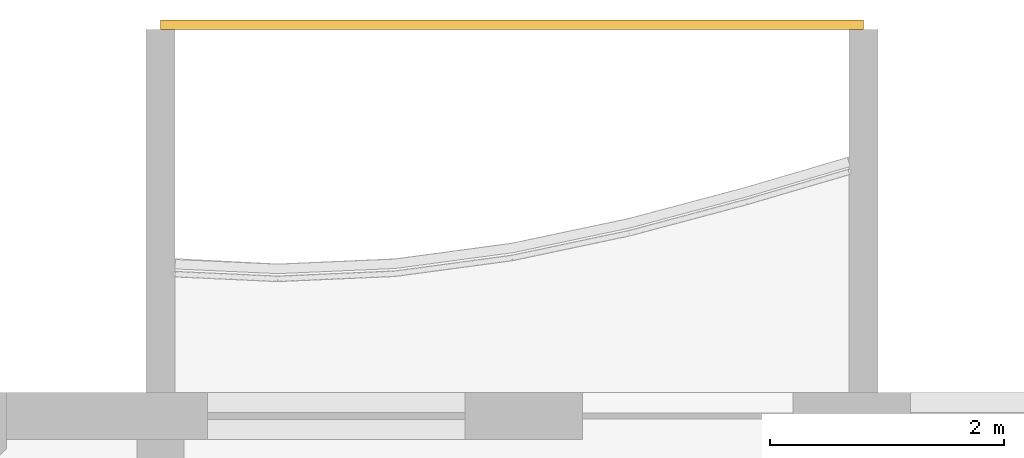
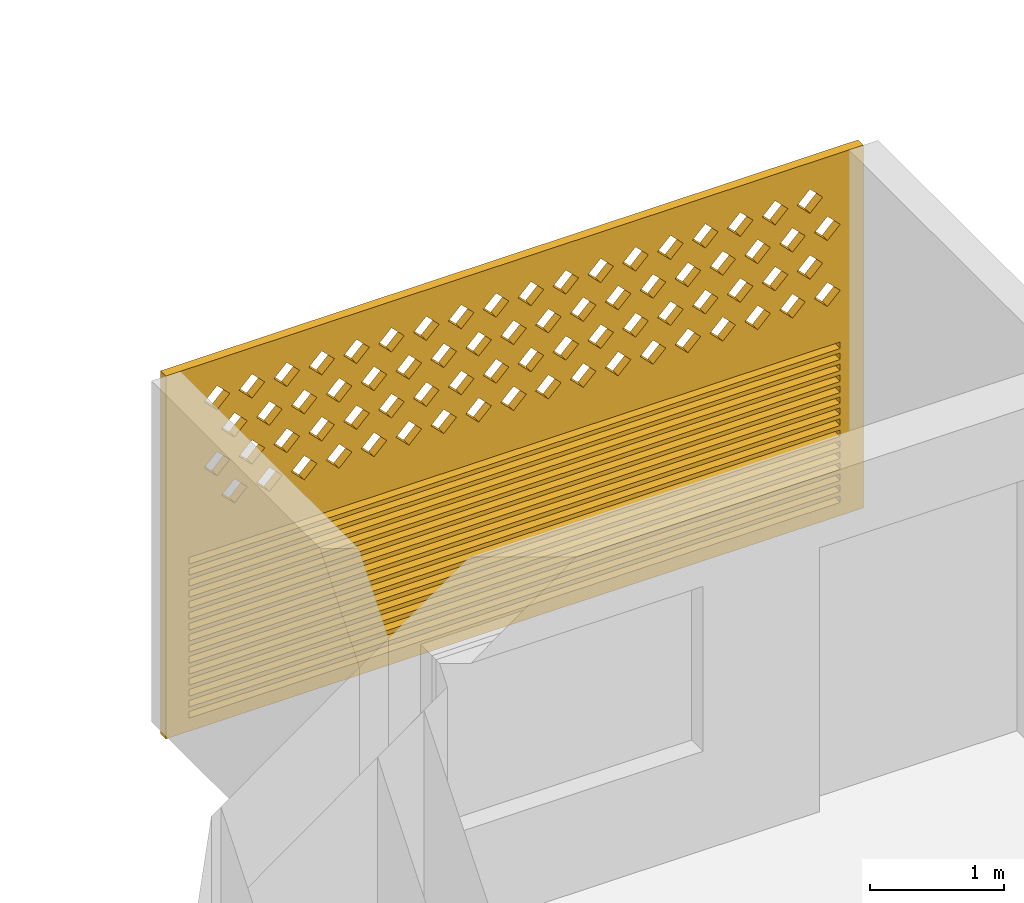
# One storey, part 23 of 44: 1 covering.
"""IFC4 building model written with IfcOpenShell, lengths in metres."""

from ifc_helpers import new_model, si_unit, direction, frame, origin, place, context, subcontext, project, spatial, polyline, outline, extrude, source, transform, mapped, material, material_profile, profile_set, type_object, element, save


model = new_model("IFC4")

# Units and contexts
model_context = context("Model", 3, precision=1e-05, world=origin(), true_north=direction((0.0, 1.0)))
body_context = subcontext(model_context, "Body", "Model", "MODEL_VIEW")
ifc_project = project(units=[si_unit("LENGTHUNIT", "METRE"), si_unit("AREAUNIT", "SQUARE_METRE"), si_unit("VOLUMEUNIT", "CUBIC_METRE"), si_unit("PLANEANGLEUNIT", "RADIAN"), si_unit("MASSUNIT", "GRAM", prefix="KILO")], contexts=[model_context])

# Site, building, storey
site_placement = place(None, origin())
site = spatial("IfcSite", under=ifc_project, at=site_placement, CompositionType="ELEMENT")
building_placement = place(site_placement, origin())
building = spatial("IfcBuilding", under=site, at=building_placement, Name="Poui Terraces", CompositionType="ELEMENT")
storey_placement = place(building_placement, frame((0.0, 0.0, 30.0)))
storey = spatial("IfcBuildingStorey", under=building, at=storey_placement, Name="L07", CompositionType="ELEMENT", Elevation=30.0)

# Covering
ifc_material = material(Name="Terracotta screen", Category="masonry")
ifc_material_profile = material_profile(ifc_material, outline(polyline([(-3.0, -1.64990234375), (3.0, -1.64990234375), (3.0, 1.64990234375), (-3.0, 1.64990234375), (-3.0, -1.64990234375)]), holes=[polyline([(-2.800048828125, 0.39990234375), (-2.68994140625, 0.2900390625), (-2.580078125, 0.39990234375), (-2.68994140625, 0.510009765625), (-2.800048828125, 0.39990234375)]), polyline([(-2.5, 0.39990234375), (-2.389892578125, 0.2900390625), (-2.280029296875, 0.39990234375), (-2.389892578125, 0.510009765625), (-2.5, 0.39990234375)]), polyline([(-2.199951171875, 0.39990234375), (-2.090087890625, 0.2900390625), (-1.97998046875, 0.39990234375), (-2.090087890625, 0.510009765625), (-2.199951171875, 0.39990234375)]), polyline([(-1.89990234375, 0.39990234375), (-1.7900390625, 0.2900390625), (-1.679931640625, 0.39990234375), (-1.7900390625, 0.510009765625), (-1.89990234375, 0.39990234375)]), polyline([(-1.60009765625, 0.39990234375), (-1.489990234375, 0.2900390625), (-1.3798828125, 0.39990234375), (-1.489990234375, 0.510009765625), (-1.60009765625, 0.39990234375)]), polyline([(-1.300048828125, 0.39990234375), (-1.18994140625, 0.2900390625), (-1.080078125, 0.39990234375), (-1.18994140625, 0.510009765625), (-1.300048828125, 0.39990234375)]), polyline([(-1.0, 0.39990234375), (-0.889892578125, 0.2900390625), (-0.780029296875, 0.39990234375), (-0.889892578125, 0.510009765625), (-1.0, 0.39990234375)]), polyline([(-0.699951171875, 0.39990234375), (-0.590087890625, 0.2900390625), (-0.47998046875, 0.39990234375), (-0.590087890625, 0.510009765625), (-0.699951171875, 0.39990234375)]), polyline([(-0.39990234375, 0.39990234375), (-0.2900390625, 0.2900390625), (-0.179931640625, 0.39990234375), (-0.2900390625, 0.510009765625), (-0.39990234375, 0.39990234375)]), polyline([(-0.10009765625, 0.39990234375), (0.010009765625, 0.2900390625), (0.1201171875, 0.39990234375), (0.010009765625, 0.510009765625), (-0.10009765625, 0.39990234375)]), polyline([(0.199951171875, 0.39990234375), (0.31005859375, 0.2900390625), (0.419921875, 0.39990234375), (0.31005859375, 0.510009765625), (0.199951171875, 0.39990234375)]), polyline([(0.5, 0.39990234375), (0.610107421875, 0.2900390625), (0.719970703125, 0.39990234375), (0.610107421875, 0.510009765625), (0.5, 0.39990234375)]), polyline([(0.800048828125, 0.39990234375), (0.909912109375, 0.2900390625), (1.02001953125, 0.39990234375), (0.909912109375, 0.510009765625), (0.800048828125, 0.39990234375)]), polyline([(1.10009765625, 0.39990234375), (1.2099609375, 0.2900390625), (1.320068359375, 0.39990234375), (1.2099609375, 0.510009765625), (1.10009765625, 0.39990234375)]), polyline([(1.39990234375, 0.39990234375), (1.510009765625, 0.2900390625), (1.6201171875, 0.39990234375), (1.510009765625, 0.510009765625), (1.39990234375, 0.39990234375)]), polyline([(1.699951171875, 0.39990234375), (1.81005859375, 0.2900390625), (1.919921875, 0.39990234375), (1.81005859375, 0.510009765625), (1.699951171875, 0.39990234375)]), polyline([(2.0, 0.39990234375), (2.110107421875, 0.2900390625), (2.219970703125, 0.39990234375), (2.110107421875, 0.510009765625), (2.0, 0.39990234375)]), polyline([(2.300048828125, 0.39990234375), (2.409912109375, 0.2900390625), (2.52001953125, 0.39990234375), (2.409912109375, 0.510009765625), (2.300048828125, 0.39990234375)]), polyline([(-2.64990234375, 0.699951171875), (-2.5400390625, 0.590087890625), (-2.429931640625, 0.699951171875), (-2.5400390625, 0.81005859375), (-2.64990234375, 0.699951171875)]), polyline([(-2.35009765625, 0.699951171875), (-2.239990234375, 0.590087890625), (-2.1298828125, 0.699951171875), (-2.239990234375, 0.81005859375), (-2.35009765625, 0.699951171875)]), polyline([(-2.050048828125, 0.699951171875), (-1.93994140625, 0.590087890625), (-1.830078125, 0.699951171875), (-1.93994140625, 0.81005859375), (-2.050048828125, 0.699951171875)]), polyline([(-1.75, 0.699951171875), (-1.639892578125, 0.590087890625), (-1.530029296875, 0.699951171875), (-1.639892578125, 0.81005859375), (-1.75, 0.699951171875)]), polyline([(-1.449951171875, 0.699951171875), (-1.340087890625, 0.590087890625), (-1.22998046875, 0.699951171875), (-1.340087890625, 0.81005859375), (-1.449951171875, 0.699951171875)]), polyline([(-1.14990234375, 0.699951171875), (-1.0400390625, 0.590087890625), (-0.929931640625, 0.699951171875), (-1.0400390625, 0.81005859375), (-1.14990234375, 0.699951171875)]), polyline([(-0.85009765625, 0.699951171875), (-0.739990234375, 0.590087890625), (-0.6298828125, 0.699951171875), (-0.739990234375, 0.81005859375), (-0.85009765625, 0.699951171875)]), polyline([(-0.550048828125, 0.699951171875), (-0.43994140625, 0.590087890625), (-0.330078125, 0.699951171875), (-0.43994140625, 0.81005859375), (-0.550048828125, 0.699951171875)]), polyline([(-0.25, 0.699951171875), (-0.139892578125, 0.590087890625), (-0.030029296875, 0.699951171875), (-0.139892578125, 0.81005859375), (-0.25, 0.699951171875)]), polyline([(0.050048828125, 0.699951171875), (0.159912109375, 0.590087890625), (0.27001953125, 0.699951171875), (0.159912109375, 0.81005859375), (0.050048828125, 0.699951171875)]), polyline([(0.35009765625, 0.699951171875), (0.4599609375, 0.590087890625), (0.570068359375, 0.699951171875), (0.4599609375, 0.81005859375), (0.35009765625, 0.699951171875)]), polyline([(0.64990234375, 0.699951171875), (0.760009765625, 0.590087890625), (0.8701171875, 0.699951171875), (0.760009765625, 0.81005859375), (0.64990234375, 0.699951171875)]), polyline([(0.949951171875, 0.699951171875), (1.06005859375, 0.590087890625), (1.169921875, 0.699951171875), (1.06005859375, 0.81005859375), (0.949951171875, 0.699951171875)]), polyline([(1.25, 0.699951171875), (1.360107421875, 0.590087890625), (1.469970703125, 0.699951171875), (1.360107421875, 0.81005859375), (1.25, 0.699951171875)]), polyline([(1.550048828125, 0.699951171875), (1.659912109375, 0.590087890625), (1.77001953125, 0.699951171875), (1.659912109375, 0.81005859375), (1.550048828125, 0.699951171875)]), polyline([(1.85009765625, 0.699951171875), (1.9599609375, 0.590087890625), (2.070068359375, 0.699951171875), (1.9599609375, 0.81005859375), (1.85009765625, 0.699951171875)]), polyline([(2.14990234375, 0.699951171875), (2.260009765625, 0.590087890625), (2.3701171875, 0.699951171875), (2.260009765625, 0.81005859375), (2.14990234375, 0.699951171875)]), polyline([(2.449951171875, 0.699951171875), (2.56005859375, 0.590087890625), (2.669921875, 0.699951171875), (2.56005859375, 0.81005859375), (2.449951171875, 0.699951171875)]), polyline([(-2.800048828125, 1.0), (-2.68994140625, 0.889892578125), (-2.580078125, 1.0), (-2.68994140625, 1.110107421875), (-2.800048828125, 1.0)]), polyline([(-2.5, 1.0), (-2.389892578125, 0.889892578125), (-2.280029296875, 1.0), (-2.389892578125, 1.110107421875), (-2.5, 1.0)]), polyline([(-2.199951171875, 1.0), (-2.090087890625, 0.889892578125), (-1.97998046875, 1.0), (-2.090087890625, 1.110107421875), (-2.199951171875, 1.0)]), polyline([(-1.89990234375, 1.0), (-1.7900390625, 0.889892578125), (-1.679931640625, 1.0), (-1.7900390625, 1.110107421875), (-1.89990234375, 1.0)]), polyline([(-1.60009765625, 1.0), (-1.489990234375, 0.889892578125), (-1.3798828125, 1.0), (-1.489990234375, 1.110107421875), (-1.60009765625, 1.0)]), polyline([(-1.300048828125, 1.0), (-1.18994140625, 0.889892578125), (-1.080078125, 1.0), (-1.18994140625, 1.110107421875), (-1.300048828125, 1.0)]), polyline([(-1.0, 1.0), (-0.889892578125, 0.889892578125), (-0.780029296875, 1.0), (-0.889892578125, 1.110107421875), (-1.0, 1.0)]), polyline([(-0.699951171875, 1.0), (-0.590087890625, 0.889892578125), (-0.47998046875, 1.0), (-0.590087890625, 1.110107421875), (-0.699951171875, 1.0)]), polyline([(-0.39990234375, 1.0), (-0.2900390625, 0.889892578125), (-0.179931640625, 1.0), (-0.2900390625, 1.110107421875), (-0.39990234375, 1.0)]), polyline([(-0.10009765625, 1.0), (0.010009765625, 0.889892578125), (0.1201171875, 1.0), (0.010009765625, 1.110107421875), (-0.10009765625, 1.0)]), polyline([(0.199951171875, 1.0), (0.31005859375, 0.889892578125), (0.419921875, 1.0), (0.31005859375, 1.110107421875), (0.199951171875, 1.0)]), polyline([(0.5, 1.0), (0.610107421875, 0.889892578125), (0.719970703125, 1.0), (0.610107421875, 1.110107421875), (0.5, 1.0)]), polyline([(0.800048828125, 1.0), (0.909912109375, 0.889892578125), (1.02001953125, 1.0), (0.909912109375, 1.110107421875), (0.800048828125, 1.0)]), polyline([(1.10009765625, 1.0), (1.2099609375, 0.889892578125), (1.320068359375, 1.0), (1.2099609375, 1.110107421875), (1.10009765625, 1.0)]), polyline([(1.39990234375, 1.0), (1.510009765625, 0.889892578125), (1.6201171875, 1.0), (1.510009765625, 1.110107421875), (1.39990234375, 1.0)]), polyline([(1.699951171875, 1.0), (1.81005859375, 0.889892578125), (1.919921875, 1.0), (1.81005859375, 1.110107421875), (1.699951171875, 1.0)]), polyline([(2.0, 1.0), (2.110107421875, 0.889892578125), (2.219970703125, 1.0), (2.110107421875, 1.110107421875), (2.0, 1.0)]), polyline([(2.300048828125, 1.0), (2.409912109375, 0.889892578125), (2.52001953125, 1.0), (2.409912109375, 1.110107421875), (2.300048828125, 1.0)]), polyline([(-2.64990234375, 1.300048828125), (-2.5400390625, 1.18994140625), (-2.429931640625, 1.300048828125), (-2.5400390625, 1.409912109375), (-2.64990234375, 1.300048828125)]), polyline([(-2.35009765625, 1.300048828125), (-2.239990234375, 1.18994140625), (-2.1298828125, 1.300048828125), (-2.239990234375, 1.409912109375), (-2.35009765625, 1.300048828125)]), polyline([(-2.050048828125, 1.300048828125), (-1.93994140625, 1.18994140625), (-1.830078125, 1.300048828125), (-1.93994140625, 1.409912109375), (-2.050048828125, 1.300048828125)]), polyline([(-1.75, 1.300048828125), (-1.639892578125, 1.18994140625), (-1.530029296875, 1.300048828125), (-1.639892578125, 1.409912109375), (-1.75, 1.300048828125)]), polyline([(-1.449951171875, 1.300048828125), (-1.340087890625, 1.18994140625), (-1.22998046875, 1.300048828125), (-1.340087890625, 1.409912109375), (-1.449951171875, 1.300048828125)]), polyline([(-1.14990234375, 1.300048828125), (-1.0400390625, 1.18994140625), (-0.929931640625, 1.300048828125), (-1.0400390625, 1.409912109375), (-1.14990234375, 1.300048828125)]), polyline([(-0.85009765625, 1.300048828125), (-0.739990234375, 1.18994140625), (-0.6298828125, 1.300048828125), (-0.739990234375, 1.409912109375), (-0.85009765625, 1.300048828125)]), polyline([(-0.550048828125, 1.300048828125), (-0.43994140625, 1.18994140625), (-0.330078125, 1.300048828125), (-0.43994140625, 1.409912109375), (-0.550048828125, 1.300048828125)]), polyline([(-0.25, 1.300048828125), (-0.139892578125, 1.18994140625), (-0.030029296875, 1.300048828125), (-0.139892578125, 1.409912109375), (-0.25, 1.300048828125)]), polyline([(0.050048828125, 1.300048828125), (0.159912109375, 1.18994140625), (0.27001953125, 1.300048828125), (0.159912109375, 1.409912109375), (0.050048828125, 1.300048828125)]), polyline([(0.35009765625, 1.300048828125), (0.4599609375, 1.18994140625), (0.570068359375, 1.300048828125), (0.4599609375, 1.409912109375), (0.35009765625, 1.300048828125)]), polyline([(0.64990234375, 1.300048828125), (0.760009765625, 1.18994140625), (0.8701171875, 1.300048828125), (0.760009765625, 1.409912109375), (0.64990234375, 1.300048828125)]), polyline([(0.949951171875, 1.300048828125), (1.06005859375, 1.18994140625), (1.169921875, 1.300048828125), (1.06005859375, 1.409912109375), (0.949951171875, 1.300048828125)]), polyline([(1.25, 1.300048828125), (1.360107421875, 1.18994140625), (1.469970703125, 1.300048828125), (1.360107421875, 1.409912109375), (1.25, 1.300048828125)]), polyline([(1.550048828125, 1.300048828125), (1.659912109375, 1.18994140625), (1.77001953125, 1.300048828125), (1.659912109375, 1.409912109375), (1.550048828125, 1.300048828125)]), polyline([(1.85009765625, 1.300048828125), (1.9599609375, 1.18994140625), (2.070068359375, 1.300048828125), (1.9599609375, 1.409912109375), (1.85009765625, 1.300048828125)]), polyline([(2.14990234375, 1.300048828125), (2.260009765625, 1.18994140625), (2.3701171875, 1.300048828125), (2.260009765625, 1.409912109375), (2.14990234375, 1.300048828125)]), polyline([(2.449951171875, 1.300048828125), (2.56005859375, 1.18994140625), (2.669921875, 1.300048828125), (2.56005859375, 1.409912109375), (2.449951171875, 1.300048828125)]), polyline([(-2.800048828125, -1.530029296875), (2.800048828125, -1.530029296875), (2.800048828125, -1.469970703125), (-2.800048828125, -1.469970703125), (-2.800048828125, -1.530029296875)]), polyline([(-2.800048828125, -1.429931640625), (2.800048828125, -1.429931640625), (2.800048828125, -1.3701171875), (-2.800048828125, -1.3701171875), (-2.800048828125, -1.429931640625)]), polyline([(-2.800048828125, -1.330078125), (2.800048828125, -1.330078125), (2.800048828125, -1.27001953125), (-2.800048828125, -1.27001953125), (-2.800048828125, -1.330078125)]), polyline([(-2.800048828125, -1.22998046875), (2.800048828125, -1.22998046875), (2.800048828125, -1.169921875), (-2.800048828125, -1.169921875), (-2.800048828125, -1.22998046875)]), polyline([(-2.800048828125, -1.1298828125), (2.800048828125, -1.1298828125), (2.800048828125, -1.070068359375), (-2.800048828125, -1.070068359375), (-2.800048828125, -1.1298828125)]), polyline([(-2.800048828125, -1.030029296875), (2.800048828125, -1.030029296875), (2.800048828125, -0.969970703125), (-2.800048828125, -0.969970703125), (-2.800048828125, -1.030029296875)]), polyline([(-2.800048828125, -0.929931640625), (2.800048828125, -0.929931640625), (2.800048828125, -0.8701171875), (-2.800048828125, -0.8701171875), (-2.800048828125, -0.929931640625)]), polyline([(-2.800048828125, -0.830078125), (2.800048828125, -0.830078125), (2.800048828125, -0.77001953125), (-2.800048828125, -0.77001953125), (-2.800048828125, -0.830078125)]), polyline([(-2.800048828125, -0.72998046875), (2.800048828125, -0.72998046875), (2.800048828125, -0.669921875), (-2.800048828125, -0.669921875), (-2.800048828125, -0.72998046875)]), polyline([(-2.800048828125, -0.6298828125), (2.800048828125, -0.6298828125), (2.800048828125, -0.570068359375), (-2.800048828125, -0.570068359375), (-2.800048828125, -0.6298828125)]), polyline([(-2.800048828125, -0.530029296875), (2.800048828125, -0.530029296875), (2.800048828125, -0.469970703125), (-2.800048828125, -0.469970703125), (-2.800048828125, -0.530029296875)]), polyline([(-2.800048828125, -0.429931640625), (2.800048828125, -0.429931640625), (2.800048828125, -0.3701171875), (-2.800048828125, -0.3701171875), (-2.800048828125, -0.429931640625)]), polyline([(-2.800048828125, -0.330078125), (2.800048828125, -0.330078125), (2.800048828125, -0.27001953125), (-2.800048828125, -0.27001953125), (-2.800048828125, -0.330078125)]), polyline([(-2.800048828125, -0.22998046875), (2.800048828125, -0.22998046875), (2.800048828125, -0.169921875), (-2.800048828125, -0.169921875), (-2.800048828125, -0.22998046875)]), polyline([(-2.800048828125, -0.1298828125), (2.800048828125, -0.1298828125), (2.800048828125, -0.070068359375), (-2.800048828125, -0.070068359375), (-2.800048828125, -0.1298828125)])]), Name="TERRACOTTA SCREEN AND JALOUSIE LOUVRE 6000X3300")
ifc_profile_set = profile_set([ifc_material_profile], Name="Terracotta screen")
covering_type = type_object("IfcCoveringType", Name="TERRACOTTA SCREEN AND JALOUSIE LOUVRE 6000X3300", PredefinedType="CLADDING", material=ifc_profile_set)
shared_shape = source(origin(), body_context, "Body", "SweptSolid", [
    extrude(outline(polyline([(-3.0, -1.64990234375), (3.0, -1.64990234375), (3.0, 1.64990234375), (-3.0, 1.64990234375), (-3.0, -1.64990234375)]), holes=[polyline([(-2.800048828125, 0.39990234375), (-2.68994140625, 0.2900390625), (-2.580078125, 0.39990234375), (-2.68994140625, 0.510009765625), (-2.800048828125, 0.39990234375)]), polyline([(-2.5, 0.39990234375), (-2.389892578125, 0.2900390625), (-2.280029296875, 0.39990234375), (-2.389892578125, 0.510009765625), (-2.5, 0.39990234375)]), polyline([(-2.199951171875, 0.39990234375), (-2.090087890625, 0.2900390625), (-1.97998046875, 0.39990234375), (-2.090087890625, 0.510009765625), (-2.199951171875, 0.39990234375)]), polyline([(-1.89990234375, 0.39990234375), (-1.7900390625, 0.2900390625), (-1.679931640625, 0.39990234375), (-1.7900390625, 0.510009765625), (-1.89990234375, 0.39990234375)]), polyline([(-1.60009765625, 0.39990234375), (-1.489990234375, 0.2900390625), (-1.3798828125, 0.39990234375), (-1.489990234375, 0.510009765625), (-1.60009765625, 0.39990234375)]), polyline([(-1.300048828125, 0.39990234375), (-1.18994140625, 0.2900390625), (-1.080078125, 0.39990234375), (-1.18994140625, 0.510009765625), (-1.300048828125, 0.39990234375)]), polyline([(-1.0, 0.39990234375), (-0.889892578125, 0.2900390625), (-0.780029296875, 0.39990234375), (-0.889892578125, 0.510009765625), (-1.0, 0.39990234375)]), polyline([(-0.699951171875, 0.39990234375), (-0.590087890625, 0.2900390625), (-0.47998046875, 0.39990234375), (-0.590087890625, 0.510009765625), (-0.699951171875, 0.39990234375)]), polyline([(-0.39990234375, 0.39990234375), (-0.2900390625, 0.2900390625), (-0.179931640625, 0.39990234375), (-0.2900390625, 0.510009765625), (-0.39990234375, 0.39990234375)]), polyline([(-0.10009765625, 0.39990234375), (0.010009765625, 0.2900390625), (0.1201171875, 0.39990234375), (0.010009765625, 0.510009765625), (-0.10009765625, 0.39990234375)]), polyline([(0.199951171875, 0.39990234375), (0.31005859375, 0.2900390625), (0.419921875, 0.39990234375), (0.31005859375, 0.510009765625), (0.199951171875, 0.39990234375)]), polyline([(0.5, 0.39990234375), (0.610107421875, 0.2900390625), (0.719970703125, 0.39990234375), (0.610107421875, 0.510009765625), (0.5, 0.39990234375)]), polyline([(0.800048828125, 0.39990234375), (0.909912109375, 0.2900390625), (1.02001953125, 0.39990234375), (0.909912109375, 0.510009765625), (0.800048828125, 0.39990234375)]), polyline([(1.10009765625, 0.39990234375), (1.2099609375, 0.2900390625), (1.320068359375, 0.39990234375), (1.2099609375, 0.510009765625), (1.10009765625, 0.39990234375)]), polyline([(1.39990234375, 0.39990234375), (1.510009765625, 0.2900390625), (1.6201171875, 0.39990234375), (1.510009765625, 0.510009765625), (1.39990234375, 0.39990234375)]), polyline([(1.699951171875, 0.39990234375), (1.81005859375, 0.2900390625), (1.919921875, 0.39990234375), (1.81005859375, 0.510009765625), (1.699951171875, 0.39990234375)]), polyline([(2.0, 0.39990234375), (2.110107421875, 0.2900390625), (2.219970703125, 0.39990234375), (2.110107421875, 0.510009765625), (2.0, 0.39990234375)]), polyline([(2.300048828125, 0.39990234375), (2.409912109375, 0.2900390625), (2.52001953125, 0.39990234375), (2.409912109375, 0.510009765625), (2.300048828125, 0.39990234375)]), polyline([(-2.64990234375, 0.699951171875), (-2.5400390625, 0.590087890625), (-2.429931640625, 0.699951171875), (-2.5400390625, 0.81005859375), (-2.64990234375, 0.699951171875)]), polyline([(-2.35009765625, 0.699951171875), (-2.239990234375, 0.590087890625), (-2.1298828125, 0.699951171875), (-2.239990234375, 0.81005859375), (-2.35009765625, 0.699951171875)]), polyline([(-2.050048828125, 0.699951171875), (-1.93994140625, 0.590087890625), (-1.830078125, 0.699951171875), (-1.93994140625, 0.81005859375), (-2.050048828125, 0.699951171875)]), polyline([(-1.75, 0.699951171875), (-1.639892578125, 0.590087890625), (-1.530029296875, 0.699951171875), (-1.639892578125, 0.81005859375), (-1.75, 0.699951171875)]), polyline([(-1.449951171875, 0.699951171875), (-1.340087890625, 0.590087890625), (-1.22998046875, 0.699951171875), (-1.340087890625, 0.81005859375), (-1.449951171875, 0.699951171875)]), polyline([(-1.14990234375, 0.699951171875), (-1.0400390625, 0.590087890625), (-0.929931640625, 0.699951171875), (-1.0400390625, 0.81005859375), (-1.14990234375, 0.699951171875)]), polyline([(-0.85009765625, 0.699951171875), (-0.739990234375, 0.590087890625), (-0.6298828125, 0.699951171875), (-0.739990234375, 0.81005859375), (-0.85009765625, 0.699951171875)]), polyline([(-0.550048828125, 0.699951171875), (-0.43994140625, 0.590087890625), (-0.330078125, 0.699951171875), (-0.43994140625, 0.81005859375), (-0.550048828125, 0.699951171875)]), polyline([(-0.25, 0.699951171875), (-0.139892578125, 0.590087890625), (-0.030029296875, 0.699951171875), (-0.139892578125, 0.81005859375), (-0.25, 0.699951171875)]), polyline([(0.050048828125, 0.699951171875), (0.159912109375, 0.590087890625), (0.27001953125, 0.699951171875), (0.159912109375, 0.81005859375), (0.050048828125, 0.699951171875)]), polyline([(0.35009765625, 0.699951171875), (0.4599609375, 0.590087890625), (0.570068359375, 0.699951171875), (0.4599609375, 0.81005859375), (0.35009765625, 0.699951171875)]), polyline([(0.64990234375, 0.699951171875), (0.760009765625, 0.590087890625), (0.8701171875, 0.699951171875), (0.760009765625, 0.81005859375), (0.64990234375, 0.699951171875)]), polyline([(0.949951171875, 0.699951171875), (1.06005859375, 0.590087890625), (1.169921875, 0.699951171875), (1.06005859375, 0.81005859375), (0.949951171875, 0.699951171875)]), polyline([(1.25, 0.699951171875), (1.360107421875, 0.590087890625), (1.469970703125, 0.699951171875), (1.360107421875, 0.81005859375), (1.25, 0.699951171875)]), polyline([(1.550048828125, 0.699951171875), (1.659912109375, 0.590087890625), (1.77001953125, 0.699951171875), (1.659912109375, 0.81005859375), (1.550048828125, 0.699951171875)]), polyline([(1.85009765625, 0.699951171875), (1.9599609375, 0.590087890625), (2.070068359375, 0.699951171875), (1.9599609375, 0.81005859375), (1.85009765625, 0.699951171875)]), polyline([(2.14990234375, 0.699951171875), (2.260009765625, 0.590087890625), (2.3701171875, 0.699951171875), (2.260009765625, 0.81005859375), (2.14990234375, 0.699951171875)]), polyline([(2.449951171875, 0.699951171875), (2.56005859375, 0.590087890625), (2.669921875, 0.699951171875), (2.56005859375, 0.81005859375), (2.449951171875, 0.699951171875)]), polyline([(-2.800048828125, 1.0), (-2.68994140625, 0.889892578125), (-2.580078125, 1.0), (-2.68994140625, 1.110107421875), (-2.800048828125, 1.0)]), polyline([(-2.5, 1.0), (-2.389892578125, 0.889892578125), (-2.280029296875, 1.0), (-2.389892578125, 1.110107421875), (-2.5, 1.0)]), polyline([(-2.199951171875, 1.0), (-2.090087890625, 0.889892578125), (-1.97998046875, 1.0), (-2.090087890625, 1.110107421875), (-2.199951171875, 1.0)]), polyline([(-1.89990234375, 1.0), (-1.7900390625, 0.889892578125), (-1.679931640625, 1.0), (-1.7900390625, 1.110107421875), (-1.89990234375, 1.0)]), polyline([(-1.60009765625, 1.0), (-1.489990234375, 0.889892578125), (-1.3798828125, 1.0), (-1.489990234375, 1.110107421875), (-1.60009765625, 1.0)]), polyline([(-1.300048828125, 1.0), (-1.18994140625, 0.889892578125), (-1.080078125, 1.0), (-1.18994140625, 1.110107421875), (-1.300048828125, 1.0)]), polyline([(-1.0, 1.0), (-0.889892578125, 0.889892578125), (-0.780029296875, 1.0), (-0.889892578125, 1.110107421875), (-1.0, 1.0)]), polyline([(-0.699951171875, 1.0), (-0.590087890625, 0.889892578125), (-0.47998046875, 1.0), (-0.590087890625, 1.110107421875), (-0.699951171875, 1.0)]), polyline([(-0.39990234375, 1.0), (-0.2900390625, 0.889892578125), (-0.179931640625, 1.0), (-0.2900390625, 1.110107421875), (-0.39990234375, 1.0)]), polyline([(-0.10009765625, 1.0), (0.010009765625, 0.889892578125), (0.1201171875, 1.0), (0.010009765625, 1.110107421875), (-0.10009765625, 1.0)]), polyline([(0.199951171875, 1.0), (0.31005859375, 0.889892578125), (0.419921875, 1.0), (0.31005859375, 1.110107421875), (0.199951171875, 1.0)]), polyline([(0.5, 1.0), (0.610107421875, 0.889892578125), (0.719970703125, 1.0), (0.610107421875, 1.110107421875), (0.5, 1.0)]), polyline([(0.800048828125, 1.0), (0.909912109375, 0.889892578125), (1.02001953125, 1.0), (0.909912109375, 1.110107421875), (0.800048828125, 1.0)]), polyline([(1.10009765625, 1.0), (1.2099609375, 0.889892578125), (1.320068359375, 1.0), (1.2099609375, 1.110107421875), (1.10009765625, 1.0)]), polyline([(1.39990234375, 1.0), (1.510009765625, 0.889892578125), (1.6201171875, 1.0), (1.510009765625, 1.110107421875), (1.39990234375, 1.0)]), polyline([(1.699951171875, 1.0), (1.81005859375, 0.889892578125), (1.919921875, 1.0), (1.81005859375, 1.110107421875), (1.699951171875, 1.0)]), polyline([(2.0, 1.0), (2.110107421875, 0.889892578125), (2.219970703125, 1.0), (2.110107421875, 1.110107421875), (2.0, 1.0)]), polyline([(2.300048828125, 1.0), (2.409912109375, 0.889892578125), (2.52001953125, 1.0), (2.409912109375, 1.110107421875), (2.300048828125, 1.0)]), polyline([(-2.64990234375, 1.300048828125), (-2.5400390625, 1.18994140625), (-2.429931640625, 1.300048828125), (-2.5400390625, 1.409912109375), (-2.64990234375, 1.300048828125)]), polyline([(-2.35009765625, 1.300048828125), (-2.239990234375, 1.18994140625), (-2.1298828125, 1.300048828125), (-2.239990234375, 1.409912109375), (-2.35009765625, 1.300048828125)]), polyline([(-2.050048828125, 1.300048828125), (-1.93994140625, 1.18994140625), (-1.830078125, 1.300048828125), (-1.93994140625, 1.409912109375), (-2.050048828125, 1.300048828125)]), polyline([(-1.75, 1.300048828125), (-1.639892578125, 1.18994140625), (-1.530029296875, 1.300048828125), (-1.639892578125, 1.409912109375), (-1.75, 1.300048828125)]), polyline([(-1.449951171875, 1.300048828125), (-1.340087890625, 1.18994140625), (-1.22998046875, 1.300048828125), (-1.340087890625, 1.409912109375), (-1.449951171875, 1.300048828125)]), polyline([(-1.14990234375, 1.300048828125), (-1.0400390625, 1.18994140625), (-0.929931640625, 1.300048828125), (-1.0400390625, 1.409912109375), (-1.14990234375, 1.300048828125)]), polyline([(-0.85009765625, 1.300048828125), (-0.739990234375, 1.18994140625), (-0.6298828125, 1.300048828125), (-0.739990234375, 1.409912109375), (-0.85009765625, 1.300048828125)]), polyline([(-0.550048828125, 1.300048828125), (-0.43994140625, 1.18994140625), (-0.330078125, 1.300048828125), (-0.43994140625, 1.409912109375), (-0.550048828125, 1.300048828125)]), polyline([(-0.25, 1.300048828125), (-0.139892578125, 1.18994140625), (-0.030029296875, 1.300048828125), (-0.139892578125, 1.409912109375), (-0.25, 1.300048828125)]), polyline([(0.050048828125, 1.300048828125), (0.159912109375, 1.18994140625), (0.27001953125, 1.300048828125), (0.159912109375, 1.409912109375), (0.050048828125, 1.300048828125)]), polyline([(0.35009765625, 1.300048828125), (0.4599609375, 1.18994140625), (0.570068359375, 1.300048828125), (0.4599609375, 1.409912109375), (0.35009765625, 1.300048828125)]), polyline([(0.64990234375, 1.300048828125), (0.760009765625, 1.18994140625), (0.8701171875, 1.300048828125), (0.760009765625, 1.409912109375), (0.64990234375, 1.300048828125)]), polyline([(0.949951171875, 1.300048828125), (1.06005859375, 1.18994140625), (1.169921875, 1.300048828125), (1.06005859375, 1.409912109375), (0.949951171875, 1.300048828125)]), polyline([(1.25, 1.300048828125), (1.360107421875, 1.18994140625), (1.469970703125, 1.300048828125), (1.360107421875, 1.409912109375), (1.25, 1.300048828125)]), polyline([(1.550048828125, 1.300048828125), (1.659912109375, 1.18994140625), (1.77001953125, 1.300048828125), (1.659912109375, 1.409912109375), (1.550048828125, 1.300048828125)]), polyline([(1.85009765625, 1.300048828125), (1.9599609375, 1.18994140625), (2.070068359375, 1.300048828125), (1.9599609375, 1.409912109375), (1.85009765625, 1.300048828125)]), polyline([(2.14990234375, 1.300048828125), (2.260009765625, 1.18994140625), (2.3701171875, 1.300048828125), (2.260009765625, 1.409912109375), (2.14990234375, 1.300048828125)]), polyline([(2.449951171875, 1.300048828125), (2.56005859375, 1.18994140625), (2.669921875, 1.300048828125), (2.56005859375, 1.409912109375), (2.449951171875, 1.300048828125)]), polyline([(-2.800048828125, -1.530029296875), (2.800048828125, -1.530029296875), (2.800048828125, -1.469970703125), (-2.800048828125, -1.469970703125), (-2.800048828125, -1.530029296875)]), polyline([(-2.800048828125, -1.429931640625), (2.800048828125, -1.429931640625), (2.800048828125, -1.3701171875), (-2.800048828125, -1.3701171875), (-2.800048828125, -1.429931640625)]), polyline([(-2.800048828125, -1.330078125), (2.800048828125, -1.330078125), (2.800048828125, -1.27001953125), (-2.800048828125, -1.27001953125), (-2.800048828125, -1.330078125)]), polyline([(-2.800048828125, -1.22998046875), (2.800048828125, -1.22998046875), (2.800048828125, -1.169921875), (-2.800048828125, -1.169921875), (-2.800048828125, -1.22998046875)]), polyline([(-2.800048828125, -1.1298828125), (2.800048828125, -1.1298828125), (2.800048828125, -1.070068359375), (-2.800048828125, -1.070068359375), (-2.800048828125, -1.1298828125)]), polyline([(-2.800048828125, -1.030029296875), (2.800048828125, -1.030029296875), (2.800048828125, -0.969970703125), (-2.800048828125, -0.969970703125), (-2.800048828125, -1.030029296875)]), polyline([(-2.800048828125, -0.929931640625), (2.800048828125, -0.929931640625), (2.800048828125, -0.8701171875), (-2.800048828125, -0.8701171875), (-2.800048828125, -0.929931640625)]), polyline([(-2.800048828125, -0.830078125), (2.800048828125, -0.830078125), (2.800048828125, -0.77001953125), (-2.800048828125, -0.77001953125), (-2.800048828125, -0.830078125)]), polyline([(-2.800048828125, -0.72998046875), (2.800048828125, -0.72998046875), (2.800048828125, -0.669921875), (-2.800048828125, -0.669921875), (-2.800048828125, -0.72998046875)]), polyline([(-2.800048828125, -0.6298828125), (2.800048828125, -0.6298828125), (2.800048828125, -0.570068359375), (-2.800048828125, -0.570068359375), (-2.800048828125, -0.6298828125)]), polyline([(-2.800048828125, -0.530029296875), (2.800048828125, -0.530029296875), (2.800048828125, -0.469970703125), (-2.800048828125, -0.469970703125), (-2.800048828125, -0.530029296875)]), polyline([(-2.800048828125, -0.429931640625), (2.800048828125, -0.429931640625), (2.800048828125, -0.3701171875), (-2.800048828125, -0.3701171875), (-2.800048828125, -0.429931640625)]), polyline([(-2.800048828125, -0.330078125), (2.800048828125, -0.330078125), (2.800048828125, -0.27001953125), (-2.800048828125, -0.27001953125), (-2.800048828125, -0.330078125)]), polyline([(-2.800048828125, -0.22998046875), (2.800048828125, -0.22998046875), (2.800048828125, -0.169921875), (-2.800048828125, -0.169921875), (-2.800048828125, -0.22998046875)]), polyline([(-2.800048828125, -0.1298828125), (2.800048828125, -0.1298828125), (2.800048828125, -0.070068359375), (-2.800048828125, -0.070068359375), (-2.800048828125, -0.1298828125)])]), origin(), (0.0, 0.0, 1.0), 0.079833984375),
])
covering_placement = place(storey_placement, frame((9.0, 48.10009765625, 1.449951171875), z_axis=(0.0, 1.0, 0.0), x_axis=(-1.0, 0.0, 0.0)))
element("IfcCovering", 1, at=covering_placement, inside=storey, type_object=covering_type, Name="SOLAR SCREEN AND JALOUSIE LOUVRE", PredefinedType="CLADDING", context=body_context, shape_type="MappedRepresentation", body=[
    mapped(shared_shape, transform((0.0, 0.0, 0.0))),
])

save(model, "model.ifc")
